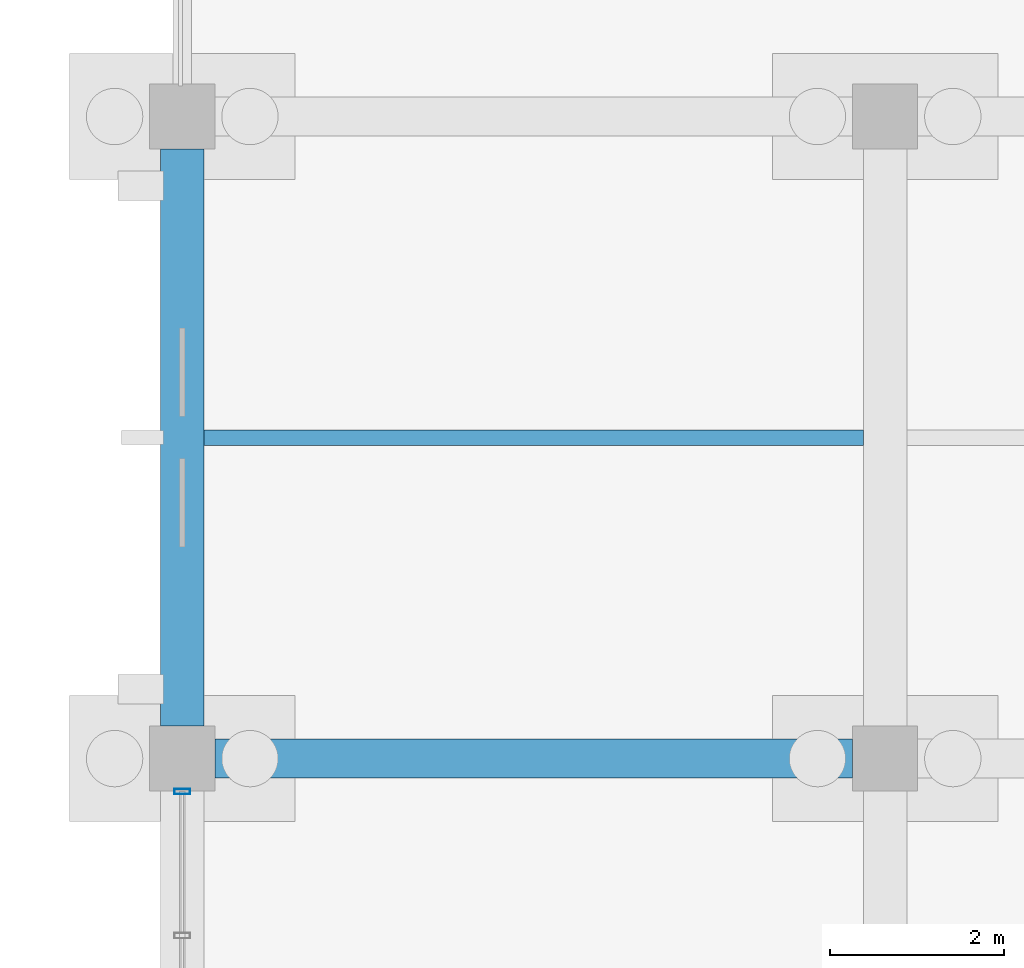
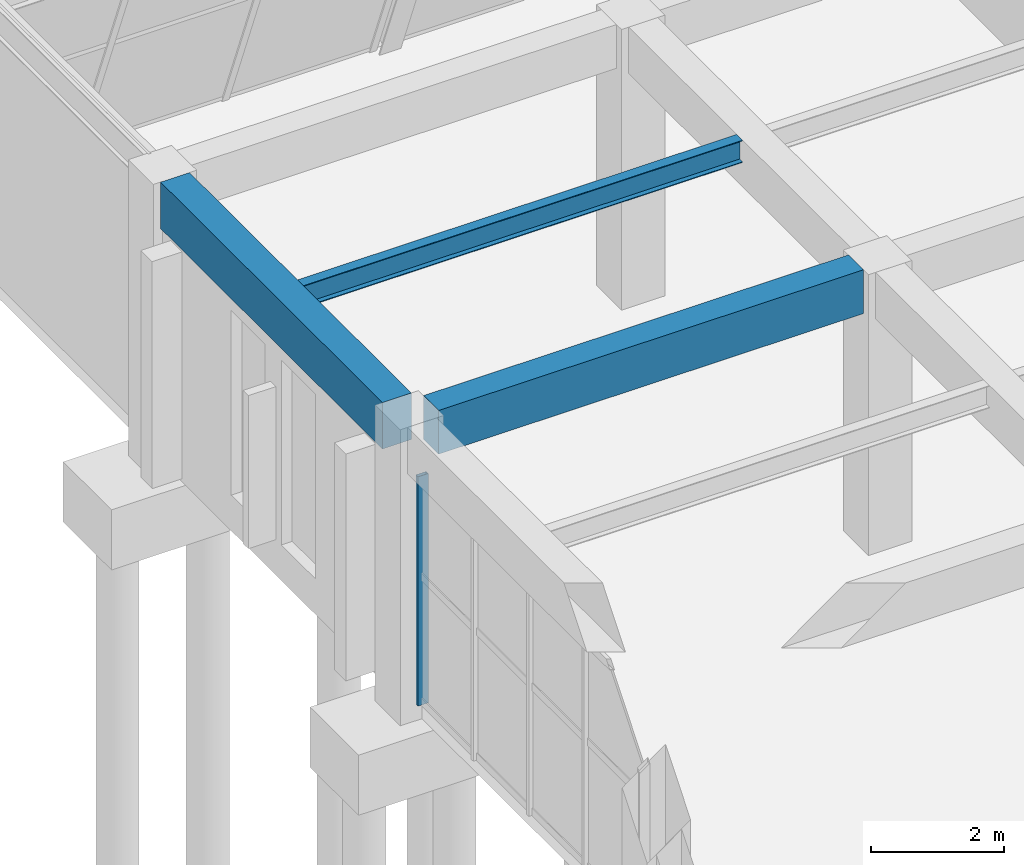
# One storey, part 67 of 140: 3 beams, 1 member, 1 element without a shape of its own.
"""IFC4 building model written with IfcOpenShell, lengths in metres."""

import ifcopenshell
import ifcopenshell.guid

model = None  # the IFC model being written
_history = None  # IfcOwnerHistory: only IFC2X3 demands one
_inside = {}  # id of a spatial element -> (the spatial element, [elements in it])
_under = {}  # id of a project, library or spatial element -> (it, [spatial elements below it])
_declared = {}  # id of a project -> (the project, [libraries it declares])
_typed = {}  # id of a type object -> (the type object, [elements of that type])
_made_of = {}  # id of a material, layer set ... -> (it, [elements and type objects made of it])


def new_model(schema):
    """Start an empty IFC model of exactly this schema.

    Asked for "IFC4X3", IfcOpenShell would pick the latest addendum, in which some entities
    have other attributes; the version numbers below select the first issue.
    IFC2X3 requires an IfcOwnerHistory on every rooted entity: one is made here for all.
    """
    global model, _history
    if schema == "IFC4X3":
        model = ifcopenshell.file(schema_version=(4, 3, 0, 0))
    else:
        model = ifcopenshell.file(schema=schema)
    _inside.clear()
    _under.clear()
    _declared.clear()
    _typed.clear()
    _made_of.clear()
    _history = None
    if model.schema == "IFC2X3":
        org = make("IfcOrganization", Name="unknown")
        user = make(
            "IfcPersonAndOrganization",
            ThePerson=make("IfcPerson", FamilyName="unknown"),
            TheOrganization=org,
        )
        app = make(
            "IfcApplication",
            ApplicationDeveloper=org,
            Version="unknown",
            ApplicationFullName="unknown",
            ApplicationIdentifier="unknown",
        )
        _history = make(
            "IfcOwnerHistory",
            OwningUser=user,
            OwningApplication=app,
            ChangeAction="ADDED",
            CreationDate=0,
        )
    return model


def make(cls, **values):
    """One entity of the class cls with the attributes given. An attribute that is None is left unset."""
    return model.create_entity(
        cls, **{name: value for name, value in values.items() if value is not None}
    )


def rooted(cls, **values):
    """An entity with a GlobalId (a new one), such as an element, a storey or a relation."""
    return make(cls, GlobalId=ifcopenshell.guid.new(), OwnerHistory=_history, **values)


def si_unit(unit_type, name, prefix=None):
    """IfcSIUnit, for example si_unit("LENGTHUNIT", "METRE", prefix="MILLI")."""
    return make("IfcSIUnit", UnitType=unit_type, Prefix=prefix, Name=name)


def assignment(units):
    """IfcUnitAssignment: the units of a project."""
    return None if units is None else make("IfcUnitAssignment", Units=units)


def point(xyz):
    """IfcCartesianPoint."""
    return None if xyz is None else make("IfcCartesianPoint", Coordinates=xyz)


def direction(xyz):
    """IfcDirection."""
    return None if xyz is None else make("IfcDirection", DirectionRatios=xyz)


def frame(location, z_axis=None, x_axis=None):
    """IfcAxis2Placement3D, a coordinate frame: its origin and axes. An axis left out is left unset."""
    return make(
        "IfcAxis2Placement3D",
        Location=point(location),
        Axis=direction(z_axis),
        RefDirection=direction(x_axis),
    )


def frame_2d(location, x_axis=None):
    """IfcAxis2Placement2D, a coordinate frame in the plane: its origin and x axis."""
    return make(
        "IfcAxis2Placement2D", Location=point(location), RefDirection=direction(x_axis)
    )


def origin():
    """The frame at (0, 0, 0) with its axes left unset."""
    return frame((0.0, 0.0, 0.0))


def origin_2d():
    """The frame at (0, 0) in the plane with its x axis left unset."""
    return frame_2d((0.0, 0.0))


def place(relative_to, where):
    """IfcLocalPlacement: puts the frame where relative to a parent placement (None: the world)."""
    return make(
        "IfcLocalPlacement", PlacementRelTo=relative_to, RelativePlacement=where
    )


def context(
    kind, dimensions, precision=None, world=None, true_north=None, identifier=None
):
    """IfcGeometricRepresentationContext, for example the 3D "Model" context."""
    return make(
        "IfcGeometricRepresentationContext",
        ContextIdentifier=identifier,
        ContextType=kind,
        CoordinateSpaceDimension=dimensions,
        Precision=precision,
        WorldCoordinateSystem=world,
        TrueNorth=true_north,
    )


def subcontext(parent, identifier, kind, view, scale=None):
    """IfcGeometricRepresentationSubContext, for example "Body" below "Model"."""
    return make(
        "IfcGeometricRepresentationSubContext",
        ContextIdentifier=identifier,
        ContextType=kind,
        ParentContext=parent,
        TargetScale=scale,
        TargetView=view,
    )


def project(units=None, contexts=None):
    """IfcProject with its units and contexts."""
    return rooted(
        "IfcProject",
        Name="project",
        RepresentationContexts=contexts,
        UnitsInContext=assignment(units),
    )


def spatial(cls, under=None, at=None, **own):
    """A site, building, storey or space (cls), placed at a placement, below another one or the project."""
    s = rooted(cls, ObjectPlacement=at, **own)
    if under is not None:
        _under.setdefault(under.id(), (under, []))[1].append(s)
    return s


def profile(cls, at=None, kind="AREA", **sizes):
    """A parametric profile (cls). Its sizes go by their IFC names, for example OverallWidth=200.0."""
    return make(cls, ProfileType=kind, Position=at, **sizes)


def rectangle(**sizes):
    """IfcRectangleProfileDef."""
    return profile("IfcRectangleProfileDef", **sizes)


def hollow_rectangle(**sizes):
    """IfcRectangleHollowProfileDef."""
    return profile("IfcRectangleHollowProfileDef", **sizes)


def i_section(**sizes):
    """IfcIShapeProfileDef."""
    return profile("IfcIShapeProfileDef", **sizes)


def extrude(swept, where, along, depth):
    """IfcExtrudedAreaSolid: the profile swept, set in the frame where, extruded along a direction by depth."""
    return make(
        "IfcExtrudedAreaSolid",
        SweptArea=swept,
        Position=where,
        ExtrudedDirection=direction(along),
        Depth=depth,
    )


def shape(context_of_items, identifier, shape_type, items):
    """IfcShapeRepresentation: the items that make up one representation, for example the "Body"."""
    return make(
        "IfcShapeRepresentation",
        ContextOfItems=context_of_items,
        RepresentationIdentifier=identifier,
        RepresentationType=shape_type,
        Items=items,
    )


def material(Name=None, Category=None):
    """IfcMaterial."""
    return make("IfcMaterial", Name=Name, Category=Category)


def material_profile(
    of_material, cross_section, Name=None, Category=None, Priority=None
):
    """IfcMaterialProfile: a cross section and its material."""
    return make(
        "IfcMaterialProfile",
        Name=Name,
        Material=of_material,
        Profile=cross_section,
        Priority=Priority,
        Category=Category,
    )


def profile_set(profiles, Name=None, composite=None):
    """IfcMaterialProfileSet."""
    return make(
        "IfcMaterialProfileSet",
        Name=Name,
        MaterialProfiles=profiles,
        CompositeProfile=composite,
    )


def made_of(thing, what):
    """Note that an element or type object is made of a material, layer set ...; save() writes the relation."""
    if what is not None:
        _made_of.setdefault(what.id(), (what, []))[1].append(thing)
    return thing


def type_object(cls, material=None, **own):
    """A type object (cls), such as IfcWallType, which elements share."""
    return made_of(rooted(cls, **own), material)


def element(
    cls,
    number,
    at=None,
    inside=None,
    cuts=None,
    type_object=None,
    material=None,
    context=None,
    identifier="Body",
    shape_type=None,
    held_by="IfcProductDefinitionShape",
    body=None,
    shapes=None,
    **own,
):
    """One element of the class cls, such as IfcWall. Its Tag is "e" and its number.

    at: its placement. inside: the storey or other place that contains it. cuts: it is an
    opening in that element (IfcRelVoidsElement). A single representation is given by context,
    identifier, shape_type and body (its items); several are given by shapes. held_by: the class
    of the entity that holds the representations. save() writes the other relations.
    """
    e = rooted(cls, Tag="e%d" % number, ObjectPlacement=at, **own)
    if body is not None:
        shapes = [shape(context, identifier, shape_type, body)]
    if shapes is not None:
        e.Representation = make(held_by, Representations=shapes)
    if inside is not None:
        _inside.setdefault(inside.id(), (inside, []))[1].append(e)
    if cuts is not None:
        rooted(
            "IfcRelVoidsElement", RelatingBuildingElement=cuts, RelatedOpeningElement=e
        )
    if type_object is not None:
        _typed.setdefault(type_object.id(), (type_object, []))[1].append(e)
    return made_of(e, material)


def aggregate(whole, parts):
    """IfcRelAggregates: a whole, such as a stair, and the parts it consists of."""
    return rooted("IfcRelAggregates", RelatingObject=whole, RelatedObjects=parts)


def save(model, path):
    """Write the relations noted so far, then the file.

    IfcRelAggregates (storeys below a building ...), IfcRelContainedInSpatialStructure (elements
    in a storey), IfcRelDefinesByType, IfcRelAssociatesMaterial and IfcRelDeclares: one each for
    every whole, place, type object, material and project.
    """
    for whole, parts in _under.values():
        aggregate(whole, parts)
    for where, things in _inside.values():
        rooted(
            "IfcRelContainedInSpatialStructure",
            RelatedElements=things,
            RelatingStructure=where,
        )
    for kind, things in _typed.values():
        rooted("IfcRelDefinesByType", RelatedObjects=things, RelatingType=kind)
    for what, things in _made_of.values():
        rooted("IfcRelAssociatesMaterial", RelatedObjects=things, RelatingMaterial=what)
    for by, libraries in _declared.values():
        rooted("IfcRelDeclares", RelatingContext=by, RelatedDefinitions=libraries)
    model.write(path)


model = new_model("IFC4")

# Units and contexts
model_context = context("Model", 3, precision=1e-05, world=origin(), true_north=direction((0.0, 1.0)))
body_context = subcontext(model_context, "Body", "Model", "MODEL_VIEW")
ifc_project = project(units=[si_unit("LENGTHUNIT", "METRE"), si_unit("AREAUNIT", "SQUARE_METRE"), si_unit("VOLUMEUNIT", "CUBIC_METRE"), si_unit("PLANEANGLEUNIT", "RADIAN"), si_unit("MASSUNIT", "GRAM", prefix="KILO")], contexts=[model_context])

# Site, building, storey
site_placement = place(None, origin())
site = spatial("IfcSite", under=ifc_project, at=site_placement, CompositionType="ELEMENT")
building_placement = place(site_placement, origin())
building = spatial("IfcBuilding", under=site, at=building_placement, Name="Cimatlan Art Gallery", CompositionType="ELEMENT")
storey_placement = place(building_placement, origin())
storey = spatial("IfcBuildingStorey", under=building, at=storey_placement, Name="L00", CompositionType="ELEMENT", Elevation=0.0)

# Beams
ifc_material_1 = material(Name="Concrete C40/50", Category="concrete")
ifc_material_profile_1 = material_profile(ifc_material_1, rectangle(XDim=0.449951171875, YDim=0.800048828125, at=origin_2d()), Name="RC450X800")
ifc_profile_set_1 = profile_set([ifc_material_profile_1], Name="Concrete C40/50")
beam_type_1 = type_object("IfcBeamType", Name="BM-RC-450X800", PredefinedType="BEAM", material=ifc_profile_set_1)
beam_1_placement = place(storey_placement, frame((34.77490234375, 90.5, 4.735107421875), z_axis=(1.0, 0.0, 0.0), x_axis=(0.0, 1.0, 0.0)))
element("IfcBeam", 1, at=beam_1_placement, inside=storey, type_object=beam_type_1, Name="BM-X-L00-04-12", PredefinedType="BEAM", context=body_context, shape_type="SweptSolid", body=[
    extrude(rectangle(XDim=0.449951171875, YDim=0.800048828125, at=origin_2d()), origin(), (0.0, 0.0, 1.0), 7.35009765625),
])
ifc_material_profile_2 = material_profile(ifc_material_1, rectangle(XDim=0.5, YDim=0.85009765625, at=origin_2d()), Name="RC500X850")
ifc_profile_set_2 = profile_set([ifc_material_profile_2], Name="Concrete C40/50")
beam_type_2 = type_object("IfcBeamType", Name="BM-RC-500X850", PredefinedType="BEAM", material=ifc_profile_set_2)
beam_2_placement = place(storey_placement, frame((34.39990234375, 90.875, 4.7099609375), z_axis=(0.0, 1.0, 0.0), x_axis=(-1.0, 0.0, 0.0)))
element("IfcBeam", 2, at=beam_2_placement, inside=storey, type_object=beam_type_2, Name="BM-Y-L00-04-12", PredefinedType="BEAM", context=body_context, shape_type="SweptSolid", body=[
    extrude(rectangle(XDim=0.5, YDim=0.85009765625, at=origin_2d()), origin(), (0.0, 0.0, 1.0), 6.64990234375),
])
ifc_material_2 = material(Name="Steel ASTM A992 Grade 50", Category="steel")
ifc_material_profile_3 = material_profile(ifc_material_2, i_section(OverallWidth=0.177978515625, OverallDepth=0.406982421875, WebThickness=0.0078125, FlangeThickness=0.0126953125, at=origin_2d()), Name="W16X40")
ifc_profile_set_3 = profile_set([ifc_material_profile_3], Name="Steel ASTM A992 Grade 50")
beam_type_3 = type_object("IfcBeamType", Name="BM-STL-W16X40", PredefinedType="JOIST", material=ifc_profile_set_3)
beam_3_placement = place(storey_placement, frame((34.64990234375, 94.199951171875, 4.931396484375), z_axis=(1.0, 0.0, 0.0), x_axis=(0.0, 1.0, 0.0)))
element("IfcBeam", 3, at=beam_3_placement, inside=storey, type_object=beam_type_3, Name="JST-L00-04-12", PredefinedType="JOIST", context=body_context, shape_type="SweptSolid", body=[
    extrude(i_section(OverallWidth=0.177978515625, OverallDepth=0.406982421875, WebThickness=0.0078125, FlangeThickness=0.0126953125, at=origin_2d()), origin(), (0.0, 0.0, 1.0), 7.60009765625),
])

# Curtain wall, member
ifc_material_3 = material(Name="Anodised bronze unitised curtain wall")
curtain_wall_type = type_object("IfcCurtainWallType", Name="CW-V-06642X04195-B4", PredefinedType="NOTDEFINED", material=ifc_material_3)
curtain_wall_placement = place(storey_placement, origin())
curtain_wall = element("IfcCurtainWall", 4, at=curtain_wall_placement, inside=storey, type_object=curtain_wall_type, Name="CW-L00-04-11-W", PredefinedType="NOTDEFINED")
ifc_material_4 = material(Name="Anodised bronze aluminium 6063-T6", Category="aluminium")
ifc_material_profile_4 = material_profile(ifc_material_4, hollow_rectangle(XDim=0.06494140625, YDim=0.179931640625, WallThickness=0.00390625, at=origin_2d()), Name="ALU65X180X4")
ifc_profile_set_4 = profile_set([ifc_material_profile_4], Name="Anodised bronze aluminium 6063-T6")
member_type = type_object("IfcMemberType", Name="CW-MUL-180", PredefinedType="MULLION", material=ifc_profile_set_4)
member_placement = place(storey_placement, frame((34.39990234375, 90.12109375, 0.0), z_axis=(0.0, 0.0, 1.0), x_axis=(0.0, 1.0, 0.0)))
member = element("IfcMember", 5, at=member_placement, type_object=member_type, Name="CW-L00-04-11-W-M5", PredefinedType="MULLION", context=body_context, shape_type="SweptSolid", body=[
    extrude(hollow_rectangle(XDim=0.06494140625, YDim=0.179931640625, WallThickness=0.00390625, at=origin_2d()), origin(), (0.0, 0.0, 1.0), 4.195068359375),
])
aggregate(curtain_wall, [member])

save(model, "model.ifc")
